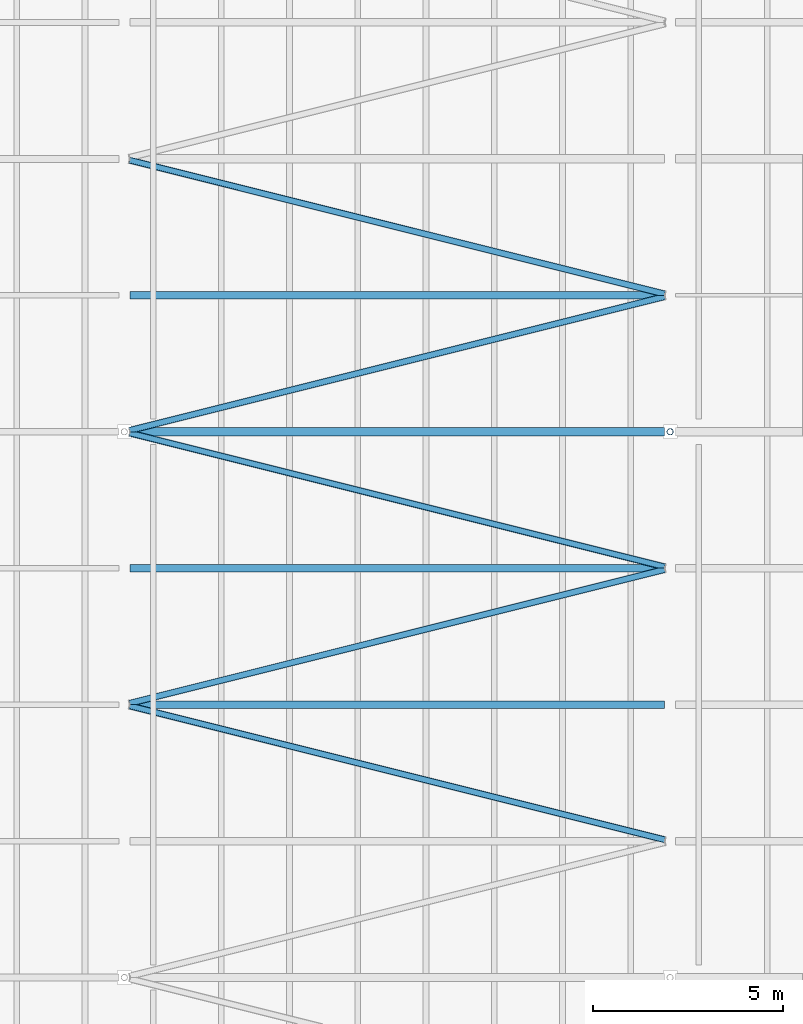
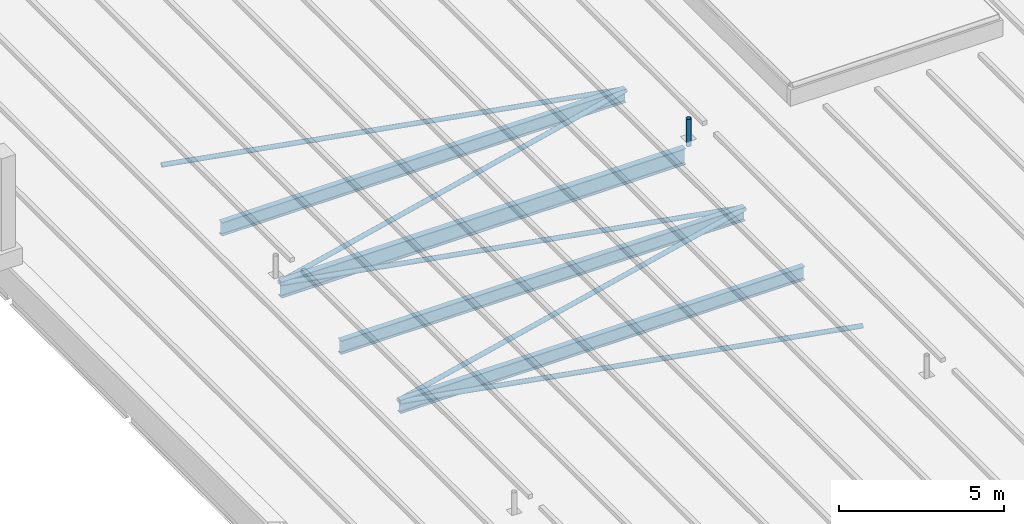
# One storey, part 23 of 120: 6 members, 4 beams.
"""IFC4 building model written with IfcOpenShell, lengths in metres."""

import ifcopenshell
import ifcopenshell.guid

model = None  # the IFC model being written
_history = None  # IfcOwnerHistory: only IFC2X3 demands one
_inside = {}  # id of a spatial element -> (the spatial element, [elements in it])
_under = {}  # id of a project, library or spatial element -> (it, [spatial elements below it])
_declared = {}  # id of a project -> (the project, [libraries it declares])
_typed = {}  # id of a type object -> (the type object, [elements of that type])
_made_of = {}  # id of a material, layer set ... -> (it, [elements and type objects made of it])


def new_model(schema):
    """Start an empty IFC model of exactly this schema.

    Asked for "IFC4X3", IfcOpenShell would pick the latest addendum, in which some entities
    have other attributes; the version numbers below select the first issue.
    IFC2X3 requires an IfcOwnerHistory on every rooted entity: one is made here for all.
    """
    global model, _history
    if schema == "IFC4X3":
        model = ifcopenshell.file(schema_version=(4, 3, 0, 0))
    else:
        model = ifcopenshell.file(schema=schema)
    _inside.clear()
    _under.clear()
    _declared.clear()
    _typed.clear()
    _made_of.clear()
    _history = None
    if model.schema == "IFC2X3":
        org = make("IfcOrganization", Name="unknown")
        user = make(
            "IfcPersonAndOrganization",
            ThePerson=make("IfcPerson", FamilyName="unknown"),
            TheOrganization=org,
        )
        app = make(
            "IfcApplication",
            ApplicationDeveloper=org,
            Version="unknown",
            ApplicationFullName="unknown",
            ApplicationIdentifier="unknown",
        )
        _history = make(
            "IfcOwnerHistory",
            OwningUser=user,
            OwningApplication=app,
            ChangeAction="ADDED",
            CreationDate=0,
        )
    return model


def make(cls, **values):
    """One entity of the class cls with the attributes given. An attribute that is None is left unset."""
    return model.create_entity(
        cls, **{name: value for name, value in values.items() if value is not None}
    )


def rooted(cls, **values):
    """An entity with a GlobalId (a new one), such as an element, a storey or a relation."""
    return make(cls, GlobalId=ifcopenshell.guid.new(), OwnerHistory=_history, **values)


def si_unit(unit_type, name, prefix=None):
    """IfcSIUnit, for example si_unit("LENGTHUNIT", "METRE", prefix="MILLI")."""
    return make("IfcSIUnit", UnitType=unit_type, Prefix=prefix, Name=name)


def assignment(units):
    """IfcUnitAssignment: the units of a project."""
    return None if units is None else make("IfcUnitAssignment", Units=units)


def point(xyz):
    """IfcCartesianPoint."""
    return None if xyz is None else make("IfcCartesianPoint", Coordinates=xyz)


def direction(xyz):
    """IfcDirection."""
    return None if xyz is None else make("IfcDirection", DirectionRatios=xyz)


def frame(location, z_axis=None, x_axis=None):
    """IfcAxis2Placement3D, a coordinate frame: its origin and axes. An axis left out is left unset."""
    return make(
        "IfcAxis2Placement3D",
        Location=point(location),
        Axis=direction(z_axis),
        RefDirection=direction(x_axis),
    )


def frame_2d(location, x_axis=None):
    """IfcAxis2Placement2D, a coordinate frame in the plane: its origin and x axis."""
    return make(
        "IfcAxis2Placement2D", Location=point(location), RefDirection=direction(x_axis)
    )


def origin():
    """The frame at (0, 0, 0) with its axes left unset."""
    return frame((0.0, 0.0, 0.0))


def origin_2d():
    """The frame at (0, 0) in the plane with its x axis left unset."""
    return frame_2d((0.0, 0.0))


def place(relative_to, where):
    """IfcLocalPlacement: puts the frame where relative to a parent placement (None: the world)."""
    return make(
        "IfcLocalPlacement", PlacementRelTo=relative_to, RelativePlacement=where
    )


def context(
    kind, dimensions, precision=None, world=None, true_north=None, identifier=None
):
    """IfcGeometricRepresentationContext, for example the 3D "Model" context."""
    return make(
        "IfcGeometricRepresentationContext",
        ContextIdentifier=identifier,
        ContextType=kind,
        CoordinateSpaceDimension=dimensions,
        Precision=precision,
        WorldCoordinateSystem=world,
        TrueNorth=true_north,
    )


def subcontext(parent, identifier, kind, view, scale=None):
    """IfcGeometricRepresentationSubContext, for example "Body" below "Model"."""
    return make(
        "IfcGeometricRepresentationSubContext",
        ContextIdentifier=identifier,
        ContextType=kind,
        ParentContext=parent,
        TargetScale=scale,
        TargetView=view,
    )


def project(units=None, contexts=None):
    """IfcProject with its units and contexts."""
    return rooted(
        "IfcProject",
        Name="project",
        RepresentationContexts=contexts,
        UnitsInContext=assignment(units),
    )


def spatial(cls, under=None, at=None, **own):
    """A site, building, storey or space (cls), placed at a placement, below another one or the project."""
    s = rooted(cls, ObjectPlacement=at, **own)
    if under is not None:
        _under.setdefault(under.id(), (under, []))[1].append(s)
    return s


def profile(cls, at=None, kind="AREA", **sizes):
    """A parametric profile (cls). Its sizes go by their IFC names, for example OverallWidth=200.0."""
    return make(cls, ProfileType=kind, Position=at, **sizes)


def hollow_circle(**sizes):
    """IfcCircleHollowProfileDef."""
    return profile("IfcCircleHollowProfileDef", **sizes)


def i_section(**sizes):
    """IfcIShapeProfileDef."""
    return profile("IfcIShapeProfileDef", **sizes)


def extrude(swept, where, along, depth):
    """IfcExtrudedAreaSolid: the profile swept, set in the frame where, extruded along a direction by depth."""
    return make(
        "IfcExtrudedAreaSolid",
        SweptArea=swept,
        Position=where,
        ExtrudedDirection=direction(along),
        Depth=depth,
    )


def shape(context_of_items, identifier, shape_type, items):
    """IfcShapeRepresentation: the items that make up one representation, for example the "Body"."""
    return make(
        "IfcShapeRepresentation",
        ContextOfItems=context_of_items,
        RepresentationIdentifier=identifier,
        RepresentationType=shape_type,
        Items=items,
    )


def material(Name=None, Category=None):
    """IfcMaterial."""
    return make("IfcMaterial", Name=Name, Category=Category)


def material_profile(
    of_material, cross_section, Name=None, Category=None, Priority=None
):
    """IfcMaterialProfile: a cross section and its material."""
    return make(
        "IfcMaterialProfile",
        Name=Name,
        Material=of_material,
        Profile=cross_section,
        Priority=Priority,
        Category=Category,
    )


def profile_set(profiles, Name=None, composite=None):
    """IfcMaterialProfileSet."""
    return make(
        "IfcMaterialProfileSet",
        Name=Name,
        MaterialProfiles=profiles,
        CompositeProfile=composite,
    )


def made_of(thing, what):
    """Note that an element or type object is made of a material, layer set ...; save() writes the relation."""
    if what is not None:
        _made_of.setdefault(what.id(), (what, []))[1].append(thing)
    return thing


def type_object(cls, material=None, **own):
    """A type object (cls), such as IfcWallType, which elements share."""
    return made_of(rooted(cls, **own), material)


def element(
    cls,
    number,
    at=None,
    inside=None,
    cuts=None,
    type_object=None,
    material=None,
    context=None,
    identifier="Body",
    shape_type=None,
    held_by="IfcProductDefinitionShape",
    body=None,
    shapes=None,
    **own,
):
    """One element of the class cls, such as IfcWall. Its Tag is "e" and its number.

    at: its placement. inside: the storey or other place that contains it. cuts: it is an
    opening in that element (IfcRelVoidsElement). A single representation is given by context,
    identifier, shape_type and body (its items); several are given by shapes. held_by: the class
    of the entity that holds the representations. save() writes the other relations.
    """
    e = rooted(cls, Tag="e%d" % number, ObjectPlacement=at, **own)
    if body is not None:
        shapes = [shape(context, identifier, shape_type, body)]
    if shapes is not None:
        e.Representation = make(held_by, Representations=shapes)
    if inside is not None:
        _inside.setdefault(inside.id(), (inside, []))[1].append(e)
    if cuts is not None:
        rooted(
            "IfcRelVoidsElement", RelatingBuildingElement=cuts, RelatedOpeningElement=e
        )
    if type_object is not None:
        _typed.setdefault(type_object.id(), (type_object, []))[1].append(e)
    return made_of(e, material)


def aggregate(whole, parts):
    """IfcRelAggregates: a whole, such as a stair, and the parts it consists of."""
    return rooted("IfcRelAggregates", RelatingObject=whole, RelatedObjects=parts)


def save(model, path):
    """Write the relations noted so far, then the file.

    IfcRelAggregates (storeys below a building ...), IfcRelContainedInSpatialStructure (elements
    in a storey), IfcRelDefinesByType, IfcRelAssociatesMaterial and IfcRelDeclares: one each for
    every whole, place, type object, material and project.
    """
    for whole, parts in _under.values():
        aggregate(whole, parts)
    for where, things in _inside.values():
        rooted(
            "IfcRelContainedInSpatialStructure",
            RelatedElements=things,
            RelatingStructure=where,
        )
    for kind, things in _typed.values():
        rooted("IfcRelDefinesByType", RelatedObjects=things, RelatingType=kind)
    for what, things in _made_of.values():
        rooted("IfcRelAssociatesMaterial", RelatedObjects=things, RelatingMaterial=what)
    for by, libraries in _declared.values():
        rooted("IfcRelDeclares", RelatingContext=by, RelatedDefinitions=libraries)
    model.write(path)


model = new_model("IFC4")

# Units and contexts
model_context = context("Model", 3, precision=1e-05, world=origin(), true_north=direction((0.0, 1.0)))
body_context = subcontext(model_context, "Body", "Model", "MODEL_VIEW")
ifc_project = project(units=[si_unit("LENGTHUNIT", "METRE"), si_unit("AREAUNIT", "SQUARE_METRE"), si_unit("VOLUMEUNIT", "CUBIC_METRE"), si_unit("PLANEANGLEUNIT", "RADIAN"), si_unit("MASSUNIT", "GRAM", prefix="KILO")], contexts=[model_context])

# Site, building, storey
site_placement = place(None, origin())
site = spatial("IfcSite", under=ifc_project, at=site_placement, CompositionType="ELEMENT")
building_placement = place(site_placement, origin())
building = spatial("IfcBuilding", under=site, at=building_placement, Name="Kupolbacken Congress Centre", CompositionType="ELEMENT")
storey_placement = place(building_placement, frame((0.0, 0.0, 21.60009765625)))
storey = spatial("IfcBuildingStorey", under=building, at=storey_placement, Name="L06", CompositionType="ELEMENT", Elevation=21.60009765625)

# Beams
ifc_material_1 = material(Name="Steel S355", Category="steel")
ifc_material_profile_1 = material_profile(ifc_material_1, i_section(OverallWidth=0.199951171875, OverallDepth=0.5, WebThickness=0.01025390625, FlangeThickness=0.01611328125, FilletRadius=0.02099609375, at=origin_2d()), Name="IPE 500")
ifc_profile_set_1 = profile_set([ifc_material_profile_1], Name="Steel S355")
beam_type_1 = type_object("IfcBeamType", Name="B09 beam IPE 500", PredefinedType="BEAM", material=ifc_profile_set_1)
for number, where, z_axis, x_axis, name in (
    (1, (93.7451171875, 90.0, -0.25), (1.0, 0.0, 0.0), (0.0, 1.0, 0.0), "HR/P13-01"),
    (2, (93.7451171875, 93.60009765625, -0.25), (1.0, 0.0, 0.0), (0.0, 1.0, 0.0), "HR/P14-01"),
    (3, (93.7451171875, 100.800048828125, -0.25), (1.0, 0.0, 0.0), (0.0, 1.0, 0.0), "HR/P16-01"),
):
    element("IfcBeam", number, at=place(storey_placement, frame(where, z_axis=z_axis, x_axis=x_axis)), inside=storey, type_object=beam_type_1, Name=name, PredefinedType="BEAM", context=body_context, shape_type="SweptSolid", body=[
        extrude(i_section(OverallWidth=0.199951171875, OverallDepth=0.5, WebThickness=0.01025390625, FlangeThickness=0.01611328125, FilletRadius=0.02099609375, at=origin_2d()), origin(), (0.0, 0.0, 1.0), 14.10986328125),
    ])
ifc_material_2 = material(Name="Steel S355", Category="steel")
ifc_material_profile_2 = material_profile(ifc_material_2, i_section(OverallWidth=0.219970703125, OverallDepth=0.60009765625, WebThickness=0.011962890625, FlangeThickness=0.01904296875, FilletRadius=0.02392578125, at=origin_2d()), Name="IPE 600")
ifc_profile_set_2 = profile_set([ifc_material_profile_2], Name="Steel S355")
beam_type_2 = type_object("IfcBeamType", Name="B11 beam IPE 600", PredefinedType="BEAM", material=ifc_profile_set_2)
beam_placement = place(storey_placement, frame((93.7451171875, 97.199951171875, -0.300048828125), z_axis=(1.0, 0.0, 0.0), x_axis=(0.0, 1.0, 0.0)))
element("IfcBeam", 4, at=beam_placement, inside=storey, type_object=beam_type_2, Name="HR/X15-01", PredefinedType="BEAM", context=body_context, shape_type="SweptSolid", body=[
    extrude(i_section(OverallWidth=0.219970703125, OverallDepth=0.60009765625, WebThickness=0.011962890625, FlangeThickness=0.01904296875, FilletRadius=0.02392578125, at=origin_2d()), origin(), (0.0, 0.0, 1.0), 14.10986328125),
])

# Members
ifc_material_3 = material(Name="Steel S355", Category="steel")
ifc_material_profile_3 = material_profile(ifc_material_3, hollow_circle(Radius=0.084228515625, WallThickness=0.008056640625, at=origin_2d()), Name="CHS 168.3 x 8")
ifc_profile_set_3 = profile_set([ifc_material_profile_3], Name="Steel S355")
member_type_1 = type_object("IfcMemberType", Name="M20 transfer truss post CHS 168.3 x 8", PredefinedType="STRUT", material=ifc_profile_set_3)
member_placement = place(storey_placement, frame((108.0, 97.199951171875, -0.010009765625), z_axis=(0.0, 0.0, 1.0), x_axis=(1.0, 0.0, 0.0)))
element("IfcMember", 5, at=member_placement, inside=storey, type_object=member_type_1, Name="Roof stay anchor post M2N.1", PredefinedType="STRUT", context=body_context, shape_type="SweptSolid", body=[
    extrude(hollow_circle(Radius=0.084228515625, WallThickness=0.008056640625, at=origin_2d()), origin(), (0.0, 0.0, 1.0), 1.010009765625),
])
ifc_material_4 = material(Name="Steel S355", Category="steel")
ifc_material_profile_4 = material_profile(ifc_material_4, hollow_circle(Radius=0.084228515625, WallThickness=0.008056640625, at=origin_2d()), Name="CHS 168.3 x 8")
ifc_profile_set_4 = profile_set([ifc_material_profile_4], Name="Steel S355")
member_type_2 = type_object("IfcMemberType", Name="M21 brace CHS 168.3 x 8", PredefinedType="BRACE", material=ifc_profile_set_4)
for number, where, z_axis, x_axis, name in (
    (6, (107.859375, 86.43505859375, -0.084228515625), (-0.970140526498, 0.24254351949, 0.0), (-0.24254351949, -0.970140526498, 0.0), "HR/RB/01-12"),
    (7, (93.74072265625, 90.03515625, -0.084228515625), (0.970140526498, 0.24254351949, 0.0), (-0.24254351949, 0.970140526498, 0.0), "HR/RB/01-13"),
    (8, (107.859375, 93.63525390625, -0.084228515625), (-0.970144473737, 0.242527730535, 0.0), (-0.242527730535, -0.970144473737, 0.0), "HR/RB/01-14"),
    (9, (93.74072265625, 97.235107421875, -0.084228515625), (0.970140526498, 0.24254351949, 0.0), (-0.24254351949, 0.970140526498, 0.0), "HR/RB/01-15"),
    (10, (107.859375, 100.835205078125, -0.084228515625), (-0.970144473737, 0.242527730535, 0.0), (-0.242527730535, -0.970144473737, 0.0), "HR/RB/01-16"),
):
    element("IfcMember", number, at=place(storey_placement, frame(where, z_axis=z_axis, x_axis=x_axis)), inside=storey, type_object=member_type_2, Name=name, PredefinedType="BRACE", context=body_context, shape_type="SweptSolid", body=[
        extrude(hollow_circle(Radius=0.084228515625, WallThickness=0.008056640625, at=origin_2d()), origin(), (0.0, 0.0, 1.0), 14.55322265625),
    ])

save(model, "model.ifc")
